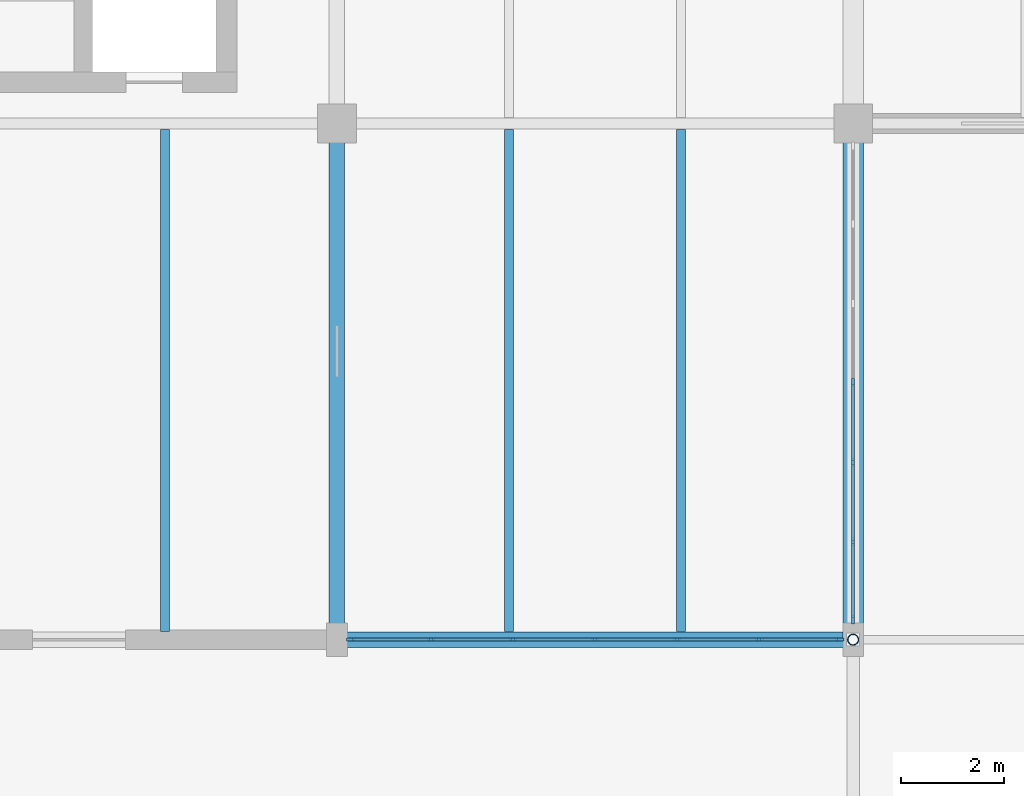
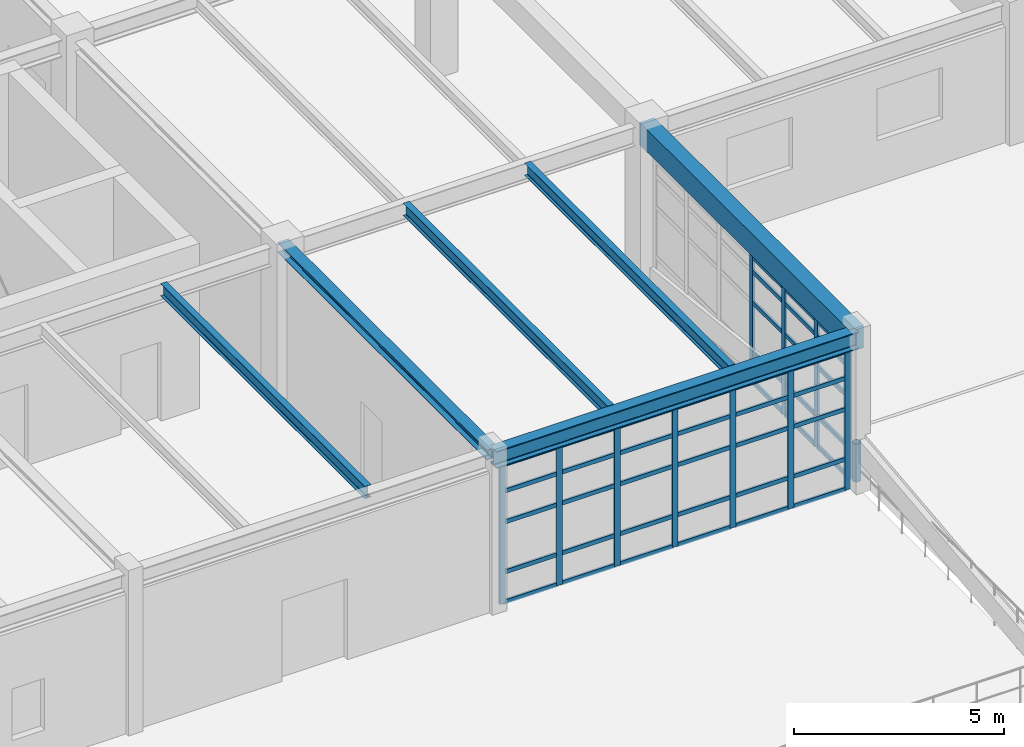
# One storey, part 25 of 139: 57 members, 6 beams, 2 elements without a shape of their own.
"""IFC4 building model written with IfcOpenShell, lengths in metres."""

from ifc_helpers import new_model, si_unit, direction, frame, origin, origin_2d, place, context, subcontext, project, spatial, rectangle, hollow_circle, i_section, extrude, material, layer, layer_set, material_profile, profile_set, type_object, element, aggregate, save


model = new_model("IFC4")

# Units and contexts
model_context = context("Model", 3, precision=1e-05, world=origin(), true_north=direction((0.0, 1.0)))
body_context = subcontext(model_context, "Body", "Model", "MODEL_VIEW")
ifc_project = project(units=[si_unit("LENGTHUNIT", "METRE"), si_unit("AREAUNIT", "SQUARE_METRE"), si_unit("VOLUMEUNIT", "CUBIC_METRE"), si_unit("PLANEANGLEUNIT", "RADIAN"), si_unit("MASSUNIT", "GRAM", prefix="KILO"), si_unit("THERMODYNAMICTEMPERATUREUNIT", "KELVIN"), si_unit("POWERUNIT", "WATT")], contexts=[model_context])

# Site, building, storey
site_placement = place(None, origin())
site = spatial("IfcSite", under=ifc_project, at=site_placement, CompositionType="ELEMENT")
building_placement = place(site_placement, origin())
building = spatial("IfcBuilding", under=site, at=building_placement, Name="Korenveer Ferry Terminal", CompositionType="ELEMENT")
storey_placement = place(building_placement, frame((0.0, 0.0, 5.39990234375)))
storey = spatial("IfcBuildingStorey", under=building, at=storey_placement, Name="L01", CompositionType="ELEMENT", Elevation=5.39990234375)

# Curtain wall, members
ifc_material_1 = material(Name="Unitised bronze-and-glass curtain wall", Category="glass")
ifc_layer_1 = layer(ifc_material_1, 0.159912109375)
ifc_layer_set_1 = layer_set([ifc_layer_1], Name="Unitised bronze-and-glass curtain wall")
curtain_wall_type_1 = type_object("IfcCurtainWallType", Name="ENV-CW-37", PredefinedType="USERDEFINED", material=ifc_layer_set_1)
curtain_wall_1_placement = place(storey_placement, frame((20.22998046875, 10.0, 0.0)))
curtain_wall_1 = element("IfcCurtainWall", 1, at=curtain_wall_1_placement, inside=storey, type_object=curtain_wall_type_1, Name="Lancet curtain wall CWX-L01-X20-30-Y10-10", ObjectType="UNITISED CURTAIN WALL", PredefinedType="USERDEFINED")
ifc_material_2 = material(Name="Anodised bronze aluminium", Category="aluminium")
ifc_material_profile_1 = material_profile(ifc_material_2, rectangle(XDim=0.06005859375, YDim=0.159912109375, at=origin_2d()), Name="ALU 60x160")
ifc_profile_set_1 = profile_set([ifc_material_profile_1], Name="Anodised bronze aluminium")
member_type_1 = type_object("IfcMemberType", Name="ENV-CWM-60X160", PredefinedType="MULLION", material=ifc_profile_set_1)
member_1_placement = place(storey_placement, frame((20.260009765625, 10.0, 0.0), z_axis=(0.0, 0.0, 1.0), x_axis=(0.0, 1.0, 0.0)))
member_1 = element("IfcMember", 2, at=member_1_placement, type_object=member_type_1, Name="CW-37 mullion 1", PredefinedType="MULLION", context=body_context, shape_type="SweptSolid", body=[
    extrude(rectangle(XDim=0.06005859375, YDim=0.159912109375, at=origin_2d()), origin(), (0.0, 0.0, 1.0), 4.050048828125),
])
member_2_placement = place(storey_placement, frame((21.820068359375, 10.0, 0.0), z_axis=(0.0, 0.0, 1.0), x_axis=(0.0, 1.0, 0.0)))
member_2 = element("IfcMember", 3, at=member_2_placement, type_object=member_type_1, Name="CW-37 mullion 2", PredefinedType="MULLION", context=body_context, shape_type="SweptSolid", body=[
    extrude(rectangle(XDim=0.06005859375, YDim=0.159912109375, at=origin_2d()), origin(), (0.0, 0.0, 1.0), 4.050048828125),
])
member_3_placement = place(storey_placement, frame((23.409912109375, 10.0, 0.0), z_axis=(0.0, 0.0, 1.0), x_axis=(0.0, 1.0, 0.0)))
member_3 = element("IfcMember", 4, at=member_3_placement, type_object=member_type_1, Name="CW-37 mullion 3", PredefinedType="MULLION", context=body_context, shape_type="SweptSolid", body=[
    extrude(rectangle(XDim=0.06005859375, YDim=0.159912109375, at=origin_2d()), origin(), (0.0, 0.0, 1.0), 4.050048828125),
])
member_4_placement = place(storey_placement, frame((25.0, 10.0, 0.0), z_axis=(0.0, 0.0, 1.0), x_axis=(0.0, 1.0, 0.0)))
member_4 = element("IfcMember", 5, at=member_4_placement, type_object=member_type_1, Name="CW-37 mullion 4", PredefinedType="MULLION", context=body_context, shape_type="SweptSolid", body=[
    extrude(rectangle(XDim=0.06005859375, YDim=0.159912109375, at=origin_2d()), origin(), (0.0, 0.0, 1.0), 4.050048828125),
])
member_5_placement = place(storey_placement, frame((26.590087890625, 10.0, 0.0), z_axis=(0.0, 0.0, 1.0), x_axis=(0.0, 1.0, 0.0)))
member_5 = element("IfcMember", 6, at=member_5_placement, type_object=member_type_1, Name="CW-37 mullion 5", PredefinedType="MULLION", context=body_context, shape_type="SweptSolid", body=[
    extrude(rectangle(XDim=0.06005859375, YDim=0.159912109375, at=origin_2d()), origin(), (0.0, 0.0, 1.0), 4.050048828125),
])
member_6_placement = place(storey_placement, frame((28.179931640625, 10.0, 0.0), z_axis=(0.0, 0.0, 1.0), x_axis=(0.0, 1.0, 0.0)))
member_6 = element("IfcMember", 7, at=member_6_placement, type_object=member_type_1, Name="CW-37 mullion 6", PredefinedType="MULLION", context=body_context, shape_type="SweptSolid", body=[
    extrude(rectangle(XDim=0.06005859375, YDim=0.159912109375, at=origin_2d()), origin(), (0.0, 0.0, 1.0), 4.050048828125),
])
member_7_placement = place(storey_placement, frame((29.739990234375, 10.0, 0.0), z_axis=(0.0, 0.0, 1.0), x_axis=(0.0, 1.0, 0.0)))
member_7 = element("IfcMember", 8, at=member_7_placement, type_object=member_type_1, Name="CW-37 mullion 7", PredefinedType="MULLION", context=body_context, shape_type="SweptSolid", body=[
    extrude(rectangle(XDim=0.06005859375, YDim=0.159912109375, at=origin_2d()), origin(), (0.0, 0.0, 1.0), 4.050048828125),
])

ifc_layer_2 = layer(ifc_material_1, 0.159912109375)
ifc_layer_set_2 = layer_set([ifc_layer_2], Name="Unitised bronze-and-glass curtain wall")
curtain_wall_type_2 = type_object("IfcCurtainWallType", Name="ENV-CW-62", PredefinedType="USERDEFINED", material=ifc_layer_set_2)
curtain_wall_2_placement = place(storey_placement, frame((30.0, 19.594970703125, 0.0)))
curtain_wall_2 = element("IfcCurtainWall", 9, at=curtain_wall_2_placement, inside=storey, type_object=curtain_wall_type_2, Name="Lancet curtain wall CWX-L01-X30-30-Y10-20", ObjectType="UNITISED CURTAIN WALL", PredefinedType="USERDEFINED")
member_8_placement = place(storey_placement, frame((30.0, 14.97509765625, 0.0), z_axis=(0.0, 0.0, 1.0), x_axis=(1.0, 0.0, 0.0)))
member_8 = element("IfcMember", 10, at=member_8_placement, type_object=member_type_1, Name="CW-62 mullion 4", PredefinedType="MULLION", context=body_context, shape_type="SweptSolid", body=[
    extrude(rectangle(XDim=0.06005859375, YDim=0.159912109375, at=origin_2d()), origin(), (0.0, 0.0, 1.0), 3.7001953125),
])
member_9_placement = place(storey_placement, frame((30.0, 13.43505859375, 0.0), z_axis=(0.0, 0.0, 1.0), x_axis=(1.0, 0.0, 0.0)))
member_9 = element("IfcMember", 11, at=member_9_placement, type_object=member_type_1, Name="CW-62 mullion 5", PredefinedType="MULLION", context=body_context, shape_type="SweptSolid", body=[
    extrude(rectangle(XDim=0.06005859375, YDim=0.159912109375, at=origin_2d()), origin(), (0.0, 0.0, 1.0), 3.7001953125),
])
member_10_placement = place(storey_placement, frame((30.0, 11.89501953125, 0.0), z_axis=(0.0, 0.0, 1.0), x_axis=(1.0, 0.0, 0.0)))
member_10 = element("IfcMember", 12, at=member_10_placement, type_object=member_type_1, Name="CW-62 mullion 6", PredefinedType="MULLION", context=body_context, shape_type="SweptSolid", body=[
    extrude(rectangle(XDim=0.06005859375, YDim=0.159912109375, at=origin_2d()), origin(), (0.0, 0.0, 1.0), 3.7001953125),
])
member_11_placement = place(storey_placement, frame((30.0, 10.385009765625, 0.0), z_axis=(0.0, 0.0, 1.0), x_axis=(1.0, 0.0, 0.0)))
member_11 = element("IfcMember", 13, at=member_11_placement, type_object=member_type_1, Name="CW-62 mullion 7", PredefinedType="MULLION", context=body_context, shape_type="SweptSolid", body=[
    extrude(rectangle(XDim=0.06005859375, YDim=0.159912109375, at=origin_2d()), origin(), (0.0, 0.0, 1.0), 3.7001953125),
])

# Member
ifc_material_profile_2 = material_profile(ifc_material_2, rectangle(XDim=0.06005859375, YDim=0.1201171875, at=origin_2d()), Name="ALU 60x120")
ifc_profile_set_2 = profile_set([ifc_material_profile_2], Name="Anodised bronze aluminium")
member_type_2 = type_object("IfcMemberType", Name="ENV-CWT-60X120", PredefinedType="USERDEFINED", material=ifc_profile_set_2)
member_12_placement = place(storey_placement, frame((20.2900390625, 10.0, 0.030029296875), z_axis=(1.0, 0.0, 0.0), x_axis=(0.0, 1.0, 0.0)))
member_12 = element("IfcMember", 14, at=member_12_placement, type_object=member_type_2, Name="CW-37 transom 1.1", ObjectType="TRANSOM", PredefinedType="USERDEFINED", context=body_context, shape_type="SweptSolid", body=[
    extrude(rectangle(XDim=0.06005859375, YDim=0.1201171875, at=origin_2d()), origin(), (0.0, 0.0, 1.0), 1.5),
])

member_13_placement = place(storey_placement, frame((20.2900390625, 10.0, 0.900146484375), z_axis=(1.0, 0.0, 0.0), x_axis=(0.0, 1.0, 0.0)))
member_13 = element("IfcMember", 15, at=member_13_placement, type_object=member_type_2, Name="CW-37 transom 1.2", ObjectType="TRANSOM", PredefinedType="USERDEFINED", context=body_context, shape_type="SweptSolid", body=[
    extrude(rectangle(XDim=0.06005859375, YDim=0.1201171875, at=origin_2d()), origin(), (0.0, 0.0, 1.0), 1.5),
])

member_14_placement = place(storey_placement, frame((20.2900390625, 10.0, 2.35009765625), z_axis=(1.0, 0.0, 0.0), x_axis=(0.0, 1.0, 0.0)))
member_14 = element("IfcMember", 16, at=member_14_placement, type_object=member_type_2, Name="CW-37 transom 1.3", ObjectType="TRANSOM", PredefinedType="USERDEFINED", context=body_context, shape_type="SweptSolid", body=[
    extrude(rectangle(XDim=0.06005859375, YDim=0.1201171875, at=origin_2d()), origin(), (0.0, 0.0, 1.0), 1.5),
])

member_15_placement = place(storey_placement, frame((20.2900390625, 10.0, 3.25), z_axis=(1.0, 0.0, 0.0), x_axis=(0.0, 1.0, 0.0)))
member_15 = element("IfcMember", 17, at=member_15_placement, type_object=member_type_2, Name="CW-37 transom 1.4", ObjectType="TRANSOM", PredefinedType="USERDEFINED", context=body_context, shape_type="SweptSolid", body=[
    extrude(rectangle(XDim=0.06005859375, YDim=0.1201171875, at=origin_2d()), origin(), (0.0, 0.0, 1.0), 1.5),
])

member_16_placement = place(storey_placement, frame((20.2900390625, 10.0, 4.02001953125), z_axis=(1.0, 0.0, 0.0), x_axis=(0.0, 1.0, 0.0)))
member_16 = element("IfcMember", 18, at=member_16_placement, type_object=member_type_2, Name="CW-37 transom 1.5", ObjectType="TRANSOM", PredefinedType="USERDEFINED", context=body_context, shape_type="SweptSolid", body=[
    extrude(rectangle(XDim=0.06005859375, YDim=0.1201171875, at=origin_2d()), origin(), (0.0, 0.0, 1.0), 1.5),
])

member_17_placement = place(storey_placement, frame((21.85009765625, 10.0, 0.030029296875), z_axis=(1.0, 0.0, 0.0), x_axis=(0.0, 1.0, 0.0)))
member_17 = element("IfcMember", 19, at=member_17_placement, type_object=member_type_2, Name="CW-37 transom 2.1", ObjectType="TRANSOM", PredefinedType="USERDEFINED", context=body_context, shape_type="SweptSolid", body=[
    extrude(rectangle(XDim=0.06005859375, YDim=0.1201171875, at=origin_2d()), origin(), (0.0, 0.0, 1.0), 1.52978515625),
])

member_18_placement = place(storey_placement, frame((21.85009765625, 10.0, 0.900146484375), z_axis=(1.0, 0.0, 0.0), x_axis=(0.0, 1.0, 0.0)))
member_18 = element("IfcMember", 20, at=member_18_placement, type_object=member_type_2, Name="CW-37 transom 2.2", ObjectType="TRANSOM", PredefinedType="USERDEFINED", context=body_context, shape_type="SweptSolid", body=[
    extrude(rectangle(XDim=0.06005859375, YDim=0.1201171875, at=origin_2d()), origin(), (0.0, 0.0, 1.0), 1.52978515625),
])

member_19_placement = place(storey_placement, frame((21.85009765625, 10.0, 2.35009765625), z_axis=(1.0, 0.0, 0.0), x_axis=(0.0, 1.0, 0.0)))
member_19 = element("IfcMember", 21, at=member_19_placement, type_object=member_type_2, Name="CW-37 transom 2.3", ObjectType="TRANSOM", PredefinedType="USERDEFINED", context=body_context, shape_type="SweptSolid", body=[
    extrude(rectangle(XDim=0.06005859375, YDim=0.1201171875, at=origin_2d()), origin(), (0.0, 0.0, 1.0), 1.52978515625),
])

member_20_placement = place(storey_placement, frame((21.85009765625, 10.0, 3.25), z_axis=(1.0, 0.0, 0.0), x_axis=(0.0, 1.0, 0.0)))
member_20 = element("IfcMember", 22, at=member_20_placement, type_object=member_type_2, Name="CW-37 transom 2.4", ObjectType="TRANSOM", PredefinedType="USERDEFINED", context=body_context, shape_type="SweptSolid", body=[
    extrude(rectangle(XDim=0.06005859375, YDim=0.1201171875, at=origin_2d()), origin(), (0.0, 0.0, 1.0), 1.52978515625),
])

member_21_placement = place(storey_placement, frame((21.85009765625, 10.0, 4.02001953125), z_axis=(1.0, 0.0, 0.0), x_axis=(0.0, 1.0, 0.0)))
member_21 = element("IfcMember", 23, at=member_21_placement, type_object=member_type_2, Name="CW-37 transom 2.5", ObjectType="TRANSOM", PredefinedType="USERDEFINED", context=body_context, shape_type="SweptSolid", body=[
    extrude(rectangle(XDim=0.06005859375, YDim=0.1201171875, at=origin_2d()), origin(), (0.0, 0.0, 1.0), 1.52978515625),
])

member_22_placement = place(storey_placement, frame((23.43994140625, 10.0, 0.030029296875), z_axis=(1.0, 0.0, 0.0), x_axis=(0.0, 1.0, 0.0)))
member_22 = element("IfcMember", 24, at=member_22_placement, type_object=member_type_2, Name="CW-37 transom 3.1", ObjectType="TRANSOM", PredefinedType="USERDEFINED", context=body_context, shape_type="SweptSolid", body=[
    extrude(rectangle(XDim=0.06005859375, YDim=0.1201171875, at=origin_2d()), origin(), (0.0, 0.0, 1.0), 1.530029296875),
])

member_23_placement = place(storey_placement, frame((23.43994140625, 10.0, 0.900146484375), z_axis=(1.0, 0.0, 0.0), x_axis=(0.0, 1.0, 0.0)))
member_23 = element("IfcMember", 25, at=member_23_placement, type_object=member_type_2, Name="CW-37 transom 3.2", ObjectType="TRANSOM", PredefinedType="USERDEFINED", context=body_context, shape_type="SweptSolid", body=[
    extrude(rectangle(XDim=0.06005859375, YDim=0.1201171875, at=origin_2d()), origin(), (0.0, 0.0, 1.0), 1.530029296875),
])

member_24_placement = place(storey_placement, frame((23.43994140625, 10.0, 2.35009765625), z_axis=(1.0, 0.0, 0.0), x_axis=(0.0, 1.0, 0.0)))
member_24 = element("IfcMember", 26, at=member_24_placement, type_object=member_type_2, Name="CW-37 transom 3.3", ObjectType="TRANSOM", PredefinedType="USERDEFINED", context=body_context, shape_type="SweptSolid", body=[
    extrude(rectangle(XDim=0.06005859375, YDim=0.1201171875, at=origin_2d()), origin(), (0.0, 0.0, 1.0), 1.530029296875),
])

member_25_placement = place(storey_placement, frame((23.43994140625, 10.0, 3.25), z_axis=(1.0, 0.0, 0.0), x_axis=(0.0, 1.0, 0.0)))
member_25 = element("IfcMember", 27, at=member_25_placement, type_object=member_type_2, Name="CW-37 transom 3.4", ObjectType="TRANSOM", PredefinedType="USERDEFINED", context=body_context, shape_type="SweptSolid", body=[
    extrude(rectangle(XDim=0.06005859375, YDim=0.1201171875, at=origin_2d()), origin(), (0.0, 0.0, 1.0), 1.530029296875),
])

member_26_placement = place(storey_placement, frame((23.43994140625, 10.0, 4.02001953125), z_axis=(1.0, 0.0, 0.0), x_axis=(0.0, 1.0, 0.0)))
member_26 = element("IfcMember", 28, at=member_26_placement, type_object=member_type_2, Name="CW-37 transom 3.5", ObjectType="TRANSOM", PredefinedType="USERDEFINED", context=body_context, shape_type="SweptSolid", body=[
    extrude(rectangle(XDim=0.06005859375, YDim=0.1201171875, at=origin_2d()), origin(), (0.0, 0.0, 1.0), 1.530029296875),
])

member_27_placement = place(storey_placement, frame((25.030029296875, 10.0, 0.030029296875), z_axis=(1.0, 0.0, 0.0), x_axis=(0.0, 1.0, 0.0)))
member_27 = element("IfcMember", 29, at=member_27_placement, type_object=member_type_2, Name="CW-37 transom 4.1", ObjectType="TRANSOM", PredefinedType="USERDEFINED", context=body_context, shape_type="SweptSolid", body=[
    extrude(rectangle(XDim=0.06005859375, YDim=0.1201171875, at=origin_2d()), origin(), (0.0, 0.0, 1.0), 1.530029296875),
])

member_28_placement = place(storey_placement, frame((25.030029296875, 10.0, 0.900146484375), z_axis=(1.0, 0.0, 0.0), x_axis=(0.0, 1.0, 0.0)))
member_28 = element("IfcMember", 30, at=member_28_placement, type_object=member_type_2, Name="CW-37 transom 4.2", ObjectType="TRANSOM", PredefinedType="USERDEFINED", context=body_context, shape_type="SweptSolid", body=[
    extrude(rectangle(XDim=0.06005859375, YDim=0.1201171875, at=origin_2d()), origin(), (0.0, 0.0, 1.0), 1.530029296875),
])

member_29_placement = place(storey_placement, frame((25.030029296875, 10.0, 2.35009765625), z_axis=(1.0, 0.0, 0.0), x_axis=(0.0, 1.0, 0.0)))
member_29 = element("IfcMember", 31, at=member_29_placement, type_object=member_type_2, Name="CW-37 transom 4.3", ObjectType="TRANSOM", PredefinedType="USERDEFINED", context=body_context, shape_type="SweptSolid", body=[
    extrude(rectangle(XDim=0.06005859375, YDim=0.1201171875, at=origin_2d()), origin(), (0.0, 0.0, 1.0), 1.530029296875),
])

member_30_placement = place(storey_placement, frame((25.030029296875, 10.0, 3.25), z_axis=(1.0, 0.0, 0.0), x_axis=(0.0, 1.0, 0.0)))
member_30 = element("IfcMember", 32, at=member_30_placement, type_object=member_type_2, Name="CW-37 transom 4.4", ObjectType="TRANSOM", PredefinedType="USERDEFINED", context=body_context, shape_type="SweptSolid", body=[
    extrude(rectangle(XDim=0.06005859375, YDim=0.1201171875, at=origin_2d()), origin(), (0.0, 0.0, 1.0), 1.530029296875),
])

member_31_placement = place(storey_placement, frame((25.030029296875, 10.0, 4.02001953125), z_axis=(1.0, 0.0, 0.0), x_axis=(0.0, 1.0, 0.0)))
member_31 = element("IfcMember", 33, at=member_31_placement, type_object=member_type_2, Name="CW-37 transom 4.5", ObjectType="TRANSOM", PredefinedType="USERDEFINED", context=body_context, shape_type="SweptSolid", body=[
    extrude(rectangle(XDim=0.06005859375, YDim=0.1201171875, at=origin_2d()), origin(), (0.0, 0.0, 1.0), 1.530029296875),
])

member_32_placement = place(storey_placement, frame((26.6201171875, 10.0, 0.030029296875), z_axis=(1.0, 0.0, 0.0), x_axis=(0.0, 1.0, 0.0)))
member_32 = element("IfcMember", 34, at=member_32_placement, type_object=member_type_2, Name="CW-37 transom 5.1", ObjectType="TRANSOM", PredefinedType="USERDEFINED", context=body_context, shape_type="SweptSolid", body=[
    extrude(rectangle(XDim=0.06005859375, YDim=0.1201171875, at=origin_2d()), origin(), (0.0, 0.0, 1.0), 1.52978515625),
])

member_33_placement = place(storey_placement, frame((26.6201171875, 10.0, 0.900146484375), z_axis=(1.0, 0.0, 0.0), x_axis=(0.0, 1.0, 0.0)))
member_33 = element("IfcMember", 35, at=member_33_placement, type_object=member_type_2, Name="CW-37 transom 5.2", ObjectType="TRANSOM", PredefinedType="USERDEFINED", context=body_context, shape_type="SweptSolid", body=[
    extrude(rectangle(XDim=0.06005859375, YDim=0.1201171875, at=origin_2d()), origin(), (0.0, 0.0, 1.0), 1.52978515625),
])

member_34_placement = place(storey_placement, frame((26.6201171875, 10.0, 2.35009765625), z_axis=(1.0, 0.0, 0.0), x_axis=(0.0, 1.0, 0.0)))
member_34 = element("IfcMember", 36, at=member_34_placement, type_object=member_type_2, Name="CW-37 transom 5.3", ObjectType="TRANSOM", PredefinedType="USERDEFINED", context=body_context, shape_type="SweptSolid", body=[
    extrude(rectangle(XDim=0.06005859375, YDim=0.1201171875, at=origin_2d()), origin(), (0.0, 0.0, 1.0), 1.52978515625),
])

member_35_placement = place(storey_placement, frame((26.6201171875, 10.0, 3.25), z_axis=(1.0, 0.0, 0.0), x_axis=(0.0, 1.0, 0.0)))
member_35 = element("IfcMember", 37, at=member_35_placement, type_object=member_type_2, Name="CW-37 transom 5.4", ObjectType="TRANSOM", PredefinedType="USERDEFINED", context=body_context, shape_type="SweptSolid", body=[
    extrude(rectangle(XDim=0.06005859375, YDim=0.1201171875, at=origin_2d()), origin(), (0.0, 0.0, 1.0), 1.52978515625),
])

member_36_placement = place(storey_placement, frame((26.6201171875, 10.0, 4.02001953125), z_axis=(1.0, 0.0, 0.0), x_axis=(0.0, 1.0, 0.0)))
member_36 = element("IfcMember", 38, at=member_36_placement, type_object=member_type_2, Name="CW-37 transom 5.5", ObjectType="TRANSOM", PredefinedType="USERDEFINED", context=body_context, shape_type="SweptSolid", body=[
    extrude(rectangle(XDim=0.06005859375, YDim=0.1201171875, at=origin_2d()), origin(), (0.0, 0.0, 1.0), 1.52978515625),
])

member_37_placement = place(storey_placement, frame((28.2099609375, 10.0, 0.030029296875), z_axis=(1.0, 0.0, 0.0), x_axis=(0.0, 1.0, 0.0)))
member_37 = element("IfcMember", 39, at=member_37_placement, type_object=member_type_2, Name="CW-37 transom 6.1", ObjectType="TRANSOM", PredefinedType="USERDEFINED", context=body_context, shape_type="SweptSolid", body=[
    extrude(rectangle(XDim=0.06005859375, YDim=0.1201171875, at=origin_2d()), origin(), (0.0, 0.0, 1.0), 1.5),
])

member_38_placement = place(storey_placement, frame((28.2099609375, 10.0, 0.900146484375), z_axis=(1.0, 0.0, 0.0), x_axis=(0.0, 1.0, 0.0)))
member_38 = element("IfcMember", 40, at=member_38_placement, type_object=member_type_2, Name="CW-37 transom 6.2", ObjectType="TRANSOM", PredefinedType="USERDEFINED", context=body_context, shape_type="SweptSolid", body=[
    extrude(rectangle(XDim=0.06005859375, YDim=0.1201171875, at=origin_2d()), origin(), (0.0, 0.0, 1.0), 1.5),
])

member_39_placement = place(storey_placement, frame((28.2099609375, 10.0, 2.35009765625), z_axis=(1.0, 0.0, 0.0), x_axis=(0.0, 1.0, 0.0)))
member_39 = element("IfcMember", 41, at=member_39_placement, type_object=member_type_2, Name="CW-37 transom 6.3", ObjectType="TRANSOM", PredefinedType="USERDEFINED", context=body_context, shape_type="SweptSolid", body=[
    extrude(rectangle(XDim=0.06005859375, YDim=0.1201171875, at=origin_2d()), origin(), (0.0, 0.0, 1.0), 1.5),
])

member_40_placement = place(storey_placement, frame((28.2099609375, 10.0, 3.25), z_axis=(1.0, 0.0, 0.0), x_axis=(0.0, 1.0, 0.0)))
member_40 = element("IfcMember", 42, at=member_40_placement, type_object=member_type_2, Name="CW-37 transom 6.4", ObjectType="TRANSOM", PredefinedType="USERDEFINED", context=body_context, shape_type="SweptSolid", body=[
    extrude(rectangle(XDim=0.06005859375, YDim=0.1201171875, at=origin_2d()), origin(), (0.0, 0.0, 1.0), 1.5),
])

member_41_placement = place(storey_placement, frame((28.2099609375, 10.0, 4.02001953125), z_axis=(1.0, 0.0, 0.0), x_axis=(0.0, 1.0, 0.0)))
member_41 = element("IfcMember", 43, at=member_41_placement, type_object=member_type_2, Name="CW-37 transom 6.5", ObjectType="TRANSOM", PredefinedType="USERDEFINED", context=body_context, shape_type="SweptSolid", body=[
    extrude(rectangle(XDim=0.06005859375, YDim=0.1201171875, at=origin_2d()), origin(), (0.0, 0.0, 1.0), 1.5),
])

aggregate(curtain_wall_1, [member_1, member_2, member_3, member_4, member_5, member_6, member_7, member_12, member_13, member_14, member_15, member_16, member_17, member_18, member_19, member_20, member_21, member_22, member_23, member_24, member_25, member_26, member_27, member_28, member_29, member_30, member_31, member_32, member_33, member_34, member_35, member_36, member_37, member_38, member_39, member_40, member_41])

member_42_placement = place(storey_placement, frame((30.0, 14.945068359375, 0.030029296875), z_axis=(0.0, -1.0, 0.0), x_axis=(1.0, 0.0, 0.0)))
member_42 = element("IfcMember", 44, at=member_42_placement, type_object=member_type_2, Name="CW-62 transom 4.1", ObjectType="TRANSOM", PredefinedType="USERDEFINED", context=body_context, shape_type="SweptSolid", body=[
    extrude(rectangle(XDim=0.06005859375, YDim=0.1201171875, at=origin_2d()), origin(), (0.0, 0.0, 1.0), 1.47998046875),
])

member_43_placement = place(storey_placement, frame((30.0, 14.945068359375, 0.900146484375), z_axis=(0.0, -1.0, 0.0), x_axis=(1.0, 0.0, 0.0)))
member_43 = element("IfcMember", 45, at=member_43_placement, type_object=member_type_2, Name="CW-62 transom 4.2", ObjectType="TRANSOM", PredefinedType="USERDEFINED", context=body_context, shape_type="SweptSolid", body=[
    extrude(rectangle(XDim=0.06005859375, YDim=0.1201171875, at=origin_2d()), origin(), (0.0, 0.0, 1.0), 1.47998046875),
])

member_44_placement = place(storey_placement, frame((30.0, 14.945068359375, 2.35009765625), z_axis=(0.0, -1.0, 0.0), x_axis=(1.0, 0.0, 0.0)))
member_44 = element("IfcMember", 46, at=member_44_placement, type_object=member_type_2, Name="CW-62 transom 4.3", ObjectType="TRANSOM", PredefinedType="USERDEFINED", context=body_context, shape_type="SweptSolid", body=[
    extrude(rectangle(XDim=0.06005859375, YDim=0.1201171875, at=origin_2d()), origin(), (0.0, 0.0, 1.0), 1.47998046875),
])

member_45_placement = place(storey_placement, frame((30.0, 14.945068359375, 3.25), z_axis=(0.0, -1.0, 0.0), x_axis=(1.0, 0.0, 0.0)))
member_45 = element("IfcMember", 47, at=member_45_placement, type_object=member_type_2, Name="CW-62 transom 4.4", ObjectType="TRANSOM", PredefinedType="USERDEFINED", context=body_context, shape_type="SweptSolid", body=[
    extrude(rectangle(XDim=0.06005859375, YDim=0.1201171875, at=origin_2d()), origin(), (0.0, 0.0, 1.0), 1.47998046875),
])

member_46_placement = place(storey_placement, frame((30.0, 14.945068359375, 3.670166015625), z_axis=(0.0, -1.0, 0.0), x_axis=(1.0, 0.0, 0.0)))
member_46 = element("IfcMember", 48, at=member_46_placement, type_object=member_type_2, Name="CW-62 transom 4.5", ObjectType="TRANSOM", PredefinedType="USERDEFINED", context=body_context, shape_type="SweptSolid", body=[
    extrude(rectangle(XDim=0.06005859375, YDim=0.1201171875, at=origin_2d()), origin(), (0.0, 0.0, 1.0), 1.47998046875),
])

member_47_placement = place(storey_placement, frame((30.0, 13.405029296875, 0.030029296875), z_axis=(0.0, -1.0, 0.0), x_axis=(1.0, 0.0, 0.0)))
member_47 = element("IfcMember", 49, at=member_47_placement, type_object=member_type_2, Name="CW-62 transom 5.1", ObjectType="TRANSOM", PredefinedType="USERDEFINED", context=body_context, shape_type="SweptSolid", body=[
    extrude(rectangle(XDim=0.06005859375, YDim=0.1201171875, at=origin_2d()), origin(), (0.0, 0.0, 1.0), 1.47998046875),
])

member_48_placement = place(storey_placement, frame((30.0, 13.405029296875, 0.900146484375), z_axis=(0.0, -1.0, 0.0), x_axis=(1.0, 0.0, 0.0)))
member_48 = element("IfcMember", 50, at=member_48_placement, type_object=member_type_2, Name="CW-62 transom 5.2", ObjectType="TRANSOM", PredefinedType="USERDEFINED", context=body_context, shape_type="SweptSolid", body=[
    extrude(rectangle(XDim=0.06005859375, YDim=0.1201171875, at=origin_2d()), origin(), (0.0, 0.0, 1.0), 1.47998046875),
])

member_49_placement = place(storey_placement, frame((30.0, 13.405029296875, 2.35009765625), z_axis=(0.0, -1.0, 0.0), x_axis=(1.0, 0.0, 0.0)))
member_49 = element("IfcMember", 51, at=member_49_placement, type_object=member_type_2, Name="CW-62 transom 5.3", ObjectType="TRANSOM", PredefinedType="USERDEFINED", context=body_context, shape_type="SweptSolid", body=[
    extrude(rectangle(XDim=0.06005859375, YDim=0.1201171875, at=origin_2d()), origin(), (0.0, 0.0, 1.0), 1.47998046875),
])

member_50_placement = place(storey_placement, frame((30.0, 13.405029296875, 3.25), z_axis=(0.0, -1.0, 0.0), x_axis=(1.0, 0.0, 0.0)))
member_50 = element("IfcMember", 52, at=member_50_placement, type_object=member_type_2, Name="CW-62 transom 5.4", ObjectType="TRANSOM", PredefinedType="USERDEFINED", context=body_context, shape_type="SweptSolid", body=[
    extrude(rectangle(XDim=0.06005859375, YDim=0.1201171875, at=origin_2d()), origin(), (0.0, 0.0, 1.0), 1.47998046875),
])

member_51_placement = place(storey_placement, frame((30.0, 13.405029296875, 3.670166015625), z_axis=(0.0, -1.0, 0.0), x_axis=(1.0, 0.0, 0.0)))
member_51 = element("IfcMember", 53, at=member_51_placement, type_object=member_type_2, Name="CW-62 transom 5.5", ObjectType="TRANSOM", PredefinedType="USERDEFINED", context=body_context, shape_type="SweptSolid", body=[
    extrude(rectangle(XDim=0.06005859375, YDim=0.1201171875, at=origin_2d()), origin(), (0.0, 0.0, 1.0), 1.47998046875),
])

member_52_placement = place(storey_placement, frame((30.0, 11.864990234375, 0.030029296875), z_axis=(0.0, -1.0, 0.0), x_axis=(1.0, 0.0, 0.0)))
member_52 = element("IfcMember", 54, at=member_52_placement, type_object=member_type_2, Name="CW-62 transom 6.1", ObjectType="TRANSOM", PredefinedType="USERDEFINED", context=body_context, shape_type="SweptSolid", body=[
    extrude(rectangle(XDim=0.06005859375, YDim=0.1201171875, at=origin_2d()), origin(), (0.0, 0.0, 1.0), 1.449951171875),
])

member_53_placement = place(storey_placement, frame((30.0, 11.864990234375, 0.900146484375), z_axis=(0.0, -1.0, 0.0), x_axis=(1.0, 0.0, 0.0)))
member_53 = element("IfcMember", 55, at=member_53_placement, type_object=member_type_2, Name="CW-62 transom 6.2", ObjectType="TRANSOM", PredefinedType="USERDEFINED", context=body_context, shape_type="SweptSolid", body=[
    extrude(rectangle(XDim=0.06005859375, YDim=0.1201171875, at=origin_2d()), origin(), (0.0, 0.0, 1.0), 1.449951171875),
])

member_54_placement = place(storey_placement, frame((30.0, 11.864990234375, 2.35009765625), z_axis=(0.0, -1.0, 0.0), x_axis=(1.0, 0.0, 0.0)))
member_54 = element("IfcMember", 56, at=member_54_placement, type_object=member_type_2, Name="CW-62 transom 6.3", ObjectType="TRANSOM", PredefinedType="USERDEFINED", context=body_context, shape_type="SweptSolid", body=[
    extrude(rectangle(XDim=0.06005859375, YDim=0.1201171875, at=origin_2d()), origin(), (0.0, 0.0, 1.0), 1.449951171875),
])

member_55_placement = place(storey_placement, frame((30.0, 11.864990234375, 3.25), z_axis=(0.0, -1.0, 0.0), x_axis=(1.0, 0.0, 0.0)))
member_55 = element("IfcMember", 57, at=member_55_placement, type_object=member_type_2, Name="CW-62 transom 6.4", ObjectType="TRANSOM", PredefinedType="USERDEFINED", context=body_context, shape_type="SweptSolid", body=[
    extrude(rectangle(XDim=0.06005859375, YDim=0.1201171875, at=origin_2d()), origin(), (0.0, 0.0, 1.0), 1.449951171875),
])

member_56_placement = place(storey_placement, frame((30.0, 11.864990234375, 3.670166015625), z_axis=(0.0, -1.0, 0.0), x_axis=(1.0, 0.0, 0.0)))
member_56 = element("IfcMember", 58, at=member_56_placement, type_object=member_type_2, Name="CW-62 transom 6.5", ObjectType="TRANSOM", PredefinedType="USERDEFINED", context=body_context, shape_type="SweptSolid", body=[
    extrude(rectangle(XDim=0.06005859375, YDim=0.1201171875, at=origin_2d()), origin(), (0.0, 0.0, 1.0), 1.449951171875),
])

aggregate(curtain_wall_2, [member_8, member_9, member_10, member_11, member_42, member_43, member_44, member_45, member_46, member_47, member_48, member_49, member_50, member_51, member_52, member_53, member_54, member_55, member_56])

# Beams
ifc_material_3 = material(Name="Steel S355", Category="steel")
ifc_material_profile_3 = material_profile(ifc_material_3, i_section(OverallWidth=0.300048828125, OverallDepth=0.2900390625, WebThickness=0.008544921875, FlangeThickness=0.013916015625, FilletRadius=0.027099609375, at=origin_2d()), Name="HEA 300")
ifc_profile_set_3 = profile_set([ifc_material_profile_3], Name="Steel S355")
beam_type_1 = type_object("IfcBeamType", Name="STR-BM-HEA300", PredefinedType="BEAM", material=ifc_profile_set_3)
beam_1_placement = place(storey_placement, frame((20.0, 10.02001953125, 4.43505859375), z_axis=(0.0, 1.0, 0.0), x_axis=(-1.0, 0.0, 0.0)))
element("IfcBeam", 59, at=beam_1_placement, inside=storey, type_object=beam_type_1, Name="Primary Y girder BMY-L02-X20-Y10-20", PredefinedType="BEAM", context=body_context, shape_type="SweptSolid", body=[
    extrude(i_section(OverallWidth=0.300048828125, OverallDepth=0.2900390625, WebThickness=0.008544921875, FlangeThickness=0.013916015625, FilletRadius=0.027099609375, at=origin_2d()), origin(), (0.0, 0.0, 1.0), 9.9599609375),
])
ifc_material_profile_4 = material_profile(ifc_material_3, i_section(OverallWidth=0.300048828125, OverallDepth=0.5, WebThickness=0.014404296875, FlangeThickness=0.028076171875, FilletRadius=0.027099609375, at=origin_2d()), Name="HEB 500")
ifc_profile_set_4 = profile_set([ifc_material_profile_4], Name="Steel S355")
beam_type_2 = type_object("IfcBeamType", Name="STR-BM-HEB500", PredefinedType="BEAM", material=ifc_profile_set_4)
beam_2_placement = place(storey_placement, frame((20.02001953125, 10.0, 4.330078125), z_axis=(1.0, 0.0, 0.0), x_axis=(0.0, 1.0, 0.0)))
element("IfcBeam", 60, at=beam_2_placement, inside=storey, type_object=beam_type_2, Name="Primary X girder BMX-L02-X20-30-Y10", PredefinedType="BEAM", context=body_context, shape_type="SweptSolid", body=[
    extrude(i_section(OverallWidth=0.300048828125, OverallDepth=0.5, WebThickness=0.014404296875, FlangeThickness=0.028076171875, FilletRadius=0.027099609375, at=origin_2d()), origin(), (0.0, 0.0, 1.0), 9.9599609375),
])
ifc_material_4 = material(Name="Concrete C40/50", Category="concrete")
ifc_material_profile_5 = material_profile(ifc_material_4, rectangle(XDim=0.39990234375, YDim=0.64990234375, at=origin_2d()), Name="RC 400x650")
ifc_profile_set_5 = profile_set([ifc_material_profile_5], Name="Concrete C40/50")
beam_type_3 = type_object("IfcBeamType", Name="STR-BM-RC400X650", PredefinedType="BEAM", material=ifc_profile_set_5)
beam_3_placement = place(storey_placement, frame((30.0, 10.02001953125, 4.255126953125), z_axis=(0.0, 1.0, 0.0), x_axis=(-1.0, 0.0, 0.0)))
element("IfcBeam", 61, at=beam_3_placement, inside=storey, type_object=beam_type_3, Name="Primary Y girder BMY-L02-X30-Y10-20", PredefinedType="BEAM", context=body_context, shape_type="SweptSolid", body=[
    extrude(rectangle(XDim=0.39990234375, YDim=0.64990234375, at=origin_2d()), origin(), (0.0, 0.0, 1.0), 9.9599609375),
])
ifc_material_profile_6 = material_profile(ifc_material_3, i_section(OverallWidth=0.169921875, OverallDepth=0.360107421875, WebThickness=0.008056640625, FlangeThickness=0.0126953125, FilletRadius=0.01806640625, at=origin_2d()), Name="IPE 360")
ifc_profile_set_6 = profile_set([ifc_material_profile_6], Name="Steel S355")
beam_type_4 = type_object("IfcBeamType", Name="STR-JST-IPE360", PredefinedType="JOIST", material=ifc_profile_set_6)
for number, where, z_axis, x_axis, name in (
    (62, (16.666748046875, 10.159912109375, 4.400146484375), (0.0, 1.0, 0.0), (-1.0, 0.0, 0.0), "Secondary composite joist JST-L02-X167-Y10-20"),
    (63, (23.333251953125, 10.159912109375, 4.400146484375), (0.0, 1.0, 0.0), (-1.0, 0.0, 0.0), "Secondary composite joist JST-L02-X233-Y10-20"),
    (64, (26.666748046875, 10.159912109375, 4.400146484375), (0.0, 1.0, 0.0), (-1.0, 0.0, 0.0), "Secondary composite joist JST-L02-X267-Y10-20"),
):
    element("IfcBeam", number, at=place(storey_placement, frame(where, z_axis=z_axis, x_axis=x_axis)), inside=storey, type_object=beam_type_4, Name=name, PredefinedType="JOIST", context=body_context, shape_type="SweptSolid", body=[
        extrude(i_section(OverallWidth=0.169921875, OverallDepth=0.360107421875, WebThickness=0.008056640625, FlangeThickness=0.0126953125, FilletRadius=0.01806640625, at=origin_2d()), origin(), (0.0, 0.0, 1.0), 9.72509765625),
    ])

# Member
ifc_material_profile_7 = material_profile(ifc_material_3, hollow_circle(Radius=0.109619140625, WallThickness=0.012451171875, at=origin_2d()), Name="CHS 219.1x12.5")
ifc_profile_set_7 = profile_set([ifc_material_profile_7], Name="Steel S355")
member_type_3 = type_object("IfcMemberType", Name="STR-STT-CHS219", PredefinedType="STRUT", material=ifc_profile_set_7)
member_57_placement = place(storey_placement, frame((30.0, 10.0, 0.18017578125), z_axis=(0.0, 0.0, 1.0), x_axis=(1.0, 0.0, 0.0)))
element("IfcMember", 65, at=member_57_placement, inside=storey, type_object=member_type_3, Name="Canopy ridge king-post STTFC-FCW-X30", PredefinedType="STRUT", context=body_context, shape_type="SweptSolid", body=[
    extrude(hollow_circle(Radius=0.109619140625, WallThickness=0.012451171875, at=origin_2d()), origin(), (0.0, 0.0, 1.0), 1.099853515625),
])

save(model, "model.ifc")
